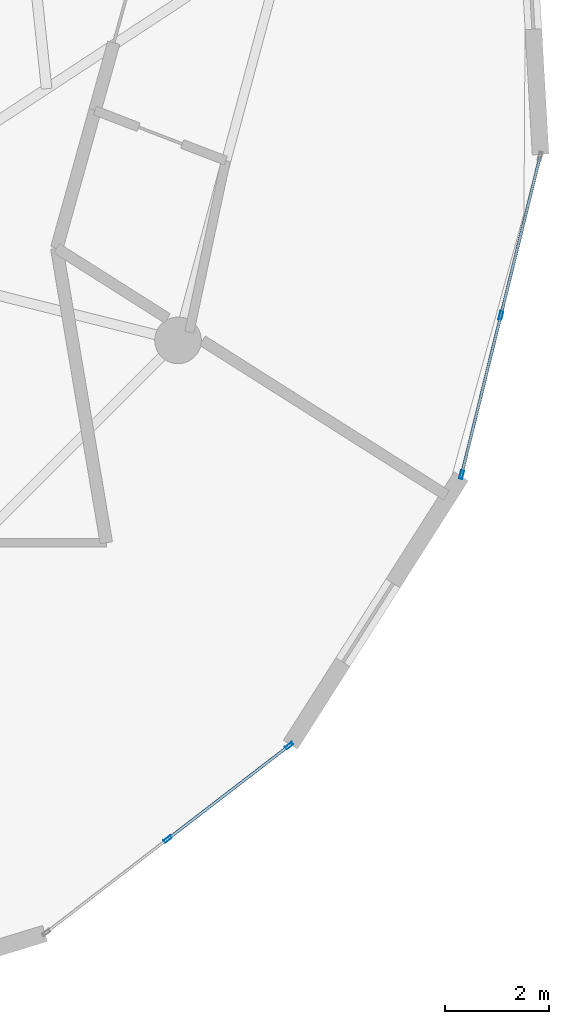
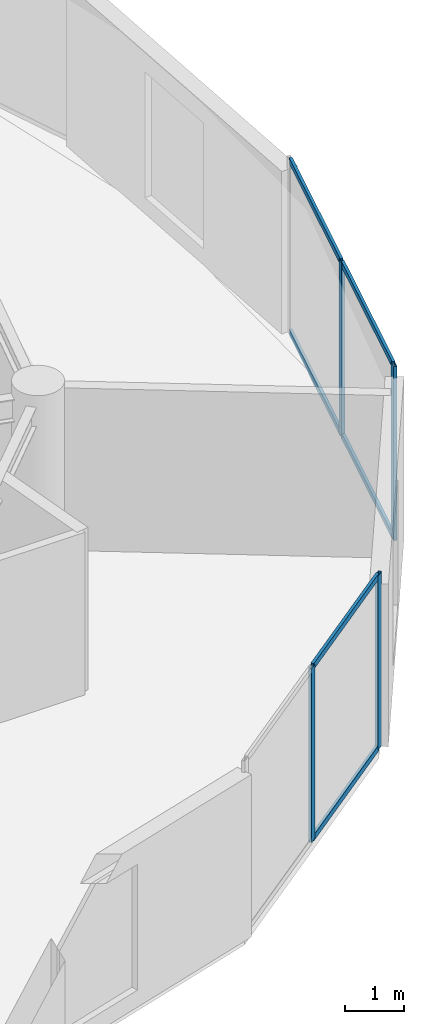
# One storey, part 8 of 18: 10 members, 2 elements without a shape of their own.
"""IFC4 building model written with IfcOpenShell, lengths in metres."""

from ifc_helpers import new_model, si_unit, direction, frame, origin, origin_2d, place, context, subcontext, project, spatial, hollow_rectangle, extrude, source, transform, mapped, material, layer, layer_set, material_profile, profile_set, type_object, element, aggregate, save


model = new_model("IFC4")

# Units and contexts
model_context = context("Model", 3, precision=1e-05, world=origin(), true_north=direction((0.0, 1.0)))
body_context = subcontext(model_context, "Body", "Model", "MODEL_VIEW")
ifc_project = project(units=[si_unit("LENGTHUNIT", "METRE"), si_unit("AREAUNIT", "SQUARE_METRE"), si_unit("VOLUMEUNIT", "CUBIC_METRE"), si_unit("PLANEANGLEUNIT", "RADIAN"), si_unit("MASSUNIT", "GRAM", prefix="KILO")], contexts=[model_context])

# Site, building, storey
site_placement = place(None, origin())
site = spatial("IfcSite", under=ifc_project, at=site_placement, CompositionType="ELEMENT")
building_placement = place(site_placement, origin())
building = spatial("IfcBuilding", under=site, at=building_placement, Name="Solvirekh Grand Hotel", CompositionType="ELEMENT")
storey_placement = place(building_placement, frame((0.0, 0.0, 198.39990234375)))
storey = spatial("IfcBuildingStorey", under=building, at=storey_placement, Name="L51", CompositionType="ELEMENT", Elevation=198.39990234375)

# Curtain wall, members
ifc_material = material(Name="Anodized Bronze Aluminium 6063-T6", Category="aluminium")
ifc_layer = layer(ifc_material, 0.159912109375)
ifc_layer_set = layer_set([ifc_layer], Name="Anodized Bronze Aluminium 6063-T6")
curtain_wall_type = type_object("IfcCurtainWallType", Name="CW_Sys4_HighZoneFlushBronzeCW", PredefinedType="NOTDEFINED", material=ifc_layer_set)
curtain_wall_1_placement = place(storey_placement, origin())
curtain_wall_1 = element("IfcCurtainWall", 1, at=curtain_wall_1_placement, inside=storey, type_object=curtain_wall_type, Name="L51 unitised bronze-glass curtain wall CW-L51-C01", PredefinedType="NOTDEFINED")
ifc_material_profile_1 = material_profile(ifc_material, hollow_rectangle(XDim=0.06005859375, YDim=0.159912109375, WallThickness=0.0048828125, at=origin_2d()), Name="ALU RHS 160X60X5")
ifc_profile_set_1 = profile_set([ifc_material_profile_1], Name="Anodized Bronze Aluminium 6063-T6")
member_type_1 = type_object("IfcMemberType", Name="CWMullion_Sys4", PredefinedType="MULLION", material=ifc_profile_set_1)
shared_shape_1 = source(origin(), body_context, "Body", "SweptSolid", [
    extrude(hollow_rectangle(XDim=0.06005859375, YDim=0.159912109375, WallThickness=0.0048828125, at=origin_2d()), origin(), (0.0, 0.0, 1.0), 3.60009765625),
])
member_1_placement = place(storey_placement, frame((13.48388671875, -17.512451171875, 0.0), z_axis=(0.0, 0.0, 1.0), x_axis=(-0.609556857521, 0.792742352501, 0.0)))
member_1 = element("IfcMember", 2, at=member_1_placement, type_object=member_type_1, Name="U04 mullion 2", PredefinedType="MULLION", context=body_context, shape_type="MappedRepresentation", body=[
    mapped(shared_shape_1, transform((0.0, 0.0, 0.0), x_axis=(1.0, 0.0, 0.0), y_axis=(0.0, 1.0, 0.0), z_axis=(0.0, 0.0, 1.0), scale=1.0)),
])
member_2_placement = place(storey_placement, frame((15.8251953125, -15.71240234375, 0.0), z_axis=(0.0, 0.0, 1.0), x_axis=(-0.609556857521, 0.792742352501, 0.0)))
member_2 = element("IfcMember", 3, at=member_2_placement, type_object=member_type_1, Name="U04 mullion 3", PredefinedType="MULLION", context=body_context, shape_type="MappedRepresentation", body=[
    mapped(shared_shape_1, transform((0.0, 0.0, 0.0), x_axis=(1.0, 0.0, 0.0), y_axis=(0.0, 1.0, 0.0), z_axis=(0.0, 0.0, 1.0), scale=1.0)),
])

curtain_wall_2_placement = place(storey_placement, origin())
curtain_wall_2 = element("IfcCurtainWall", 4, at=curtain_wall_2_placement, inside=storey, type_object=curtain_wall_type, Name="L51 unitised bronze-glass curtain wall CW-L51-C03", PredefinedType="NOTDEFINED")
member_3_placement = place(storey_placement, frame((19.148193359375, -10.490966796875, 0.0), z_axis=(0.0, 0.0, 1.0), x_axis=(-0.970901876855, 0.239477651398, 0.0)))
member_3 = element("IfcMember", 5, at=member_3_placement, type_object=member_type_1, Name="U04 mullion 1", PredefinedType="MULLION", context=body_context, shape_type="MappedRepresentation", body=[
    mapped(shared_shape_1, transform((0.0, 0.0, 0.0), x_axis=(1.0, 0.0, 0.0), y_axis=(0.0, 1.0, 0.0), z_axis=(0.0, 0.0, 1.0), scale=1.0)),
])
member_4_placement = place(storey_placement, frame((19.906005859375, -7.41845703125, 0.0), z_axis=(0.0, 0.0, 1.0), x_axis=(-0.970901876855, 0.239477651398, 0.0)))
member_4 = element("IfcMember", 6, at=member_4_placement, type_object=member_type_1, Name="U04 mullion 2", PredefinedType="MULLION", context=body_context, shape_type="MappedRepresentation", body=[
    mapped(shared_shape_1, transform((0.0, 0.0, 0.0), x_axis=(1.0, 0.0, 0.0), y_axis=(0.0, 1.0, 0.0), z_axis=(0.0, 0.0, 1.0), scale=1.0)),
])

# Member
ifc_material_profile_2 = material_profile(ifc_material, hollow_rectangle(XDim=0.054931640625, YDim=0.1201171875, WallThickness=0.00390625, at=origin_2d()), Name="ALU RHS 120X55X4")
ifc_profile_set_2 = profile_set([ifc_material_profile_2], Name="Anodized Bronze Aluminium 6063-T6")
member_type_2 = type_object("IfcMemberType", Name="CWTransom_Sys4", PredefinedType="USERDEFINED", material=ifc_profile_set_2)
shared_shape_2 = source(origin(), body_context, "Body", "SweptSolid", [
    extrude(hollow_rectangle(XDim=0.054931640625, YDim=0.1201171875, WallThickness=0.00390625, at=origin_2d()), origin(), (0.0, 0.0, 1.0), 2.893310546875),
])
member_5_placement = place(storey_placement, frame((13.5078125, -17.494140625, 0.027587890625), z_axis=(0.792743171429, 0.609555792486, 0.0), x_axis=(-0.609555792486, 0.792743171429, 0.0)))
member_5 = element("IfcMember", 7, at=member_5_placement, type_object=member_type_2, Name="U04 transom 2.1", ObjectType="TRANSOM", PredefinedType="USERDEFINED", context=body_context, shape_type="MappedRepresentation", body=[
    mapped(shared_shape_2, transform((0.0, 0.0, 0.0), x_axis=(1.0, 0.0, 0.0), y_axis=(0.0, 1.0, 0.0), z_axis=(0.0, 0.0, 1.0), scale=1.0)),
])

member_6_placement = place(storey_placement, frame((13.5078125, -17.494140625, 3.572509765625), z_axis=(0.792743171429, 0.609555792486, 0.0), x_axis=(-0.609555792486, 0.792743171429, 0.0)))
member_6 = element("IfcMember", 8, at=member_6_placement, type_object=member_type_2, Name="U04 transom 2.2", ObjectType="TRANSOM", PredefinedType="USERDEFINED", context=body_context, shape_type="MappedRepresentation", body=[
    mapped(shared_shape_2, transform((0.0, 0.0, 0.0), x_axis=(1.0, 0.0, 0.0), y_axis=(0.0, 1.0, 0.0), z_axis=(0.0, 0.0, 1.0), scale=1.0)),
])

aggregate(curtain_wall_1, [member_1, member_2, member_5, member_6])

shared_shape_3 = source(origin(), body_context, "Body", "SweptSolid", [
    extrude(hollow_rectangle(XDim=0.054931640625, YDim=0.1201171875, WallThickness=0.00390625, at=origin_2d()), origin(), (0.0, 0.0, 1.0), 3.1044921875),
])
member_7_placement = place(storey_placement, frame((19.1552734375, -10.461669921875, 0.027587890625), z_axis=(0.239536902256, 0.970887260426, 0.0), x_axis=(-0.970887260426, 0.239536902256, 0.0)))
member_7 = element("IfcMember", 9, at=member_7_placement, type_object=member_type_2, Name="U04 transom 1.1", ObjectType="TRANSOM", PredefinedType="USERDEFINED", context=body_context, shape_type="MappedRepresentation", body=[
    mapped(shared_shape_3, transform((0.0, 0.0, 0.0), x_axis=(1.0, 0.0, 0.0), y_axis=(0.0, 1.0, 0.0), z_axis=(0.0, 0.0, 1.0), scale=1.0)),
])

member_8_placement = place(storey_placement, frame((19.1552734375, -10.461669921875, 3.572509765625), z_axis=(0.239536902256, 0.970887260426, 0.0), x_axis=(-0.970887260426, 0.239536902256, 0.0)))
member_8 = element("IfcMember", 10, at=member_8_placement, type_object=member_type_2, Name="U04 transom 1.2", ObjectType="TRANSOM", PredefinedType="USERDEFINED", context=body_context, shape_type="MappedRepresentation", body=[
    mapped(shared_shape_3, transform((0.0, 0.0, 0.0), x_axis=(1.0, 0.0, 0.0), y_axis=(0.0, 1.0, 0.0), z_axis=(0.0, 0.0, 1.0), scale=1.0)),
])

member_9_placement = place(storey_placement, frame((19.9130859375, -7.389404296875, 0.027587890625), z_axis=(0.239536902256, 0.970887260426, 0.0), x_axis=(-0.970887260426, 0.239536902256, 0.0)))
member_9 = element("IfcMember", 11, at=member_9_placement, type_object=member_type_2, Name="U04 transom 2.1", ObjectType="TRANSOM", PredefinedType="USERDEFINED", context=body_context, shape_type="MappedRepresentation", body=[
    mapped(shared_shape_3, transform((0.0, 0.0, 0.0), x_axis=(1.0, 0.0, 0.0), y_axis=(0.0, 1.0, 0.0), z_axis=(0.0, 0.0, 1.0), scale=1.0)),
])

member_10_placement = place(storey_placement, frame((19.9130859375, -7.389404296875, 3.572509765625), z_axis=(0.239536902256, 0.970887260426, 0.0), x_axis=(-0.970887260426, 0.239536902256, 0.0)))
member_10 = element("IfcMember", 12, at=member_10_placement, type_object=member_type_2, Name="U04 transom 2.2", ObjectType="TRANSOM", PredefinedType="USERDEFINED", context=body_context, shape_type="MappedRepresentation", body=[
    mapped(shared_shape_3, transform((0.0, 0.0, 0.0), x_axis=(1.0, 0.0, 0.0), y_axis=(0.0, 1.0, 0.0), z_axis=(0.0, 0.0, 1.0), scale=1.0)),
])

aggregate(curtain_wall_2, [member_3, member_4, member_7, member_8, member_9, member_10])

save(model, "model.ifc")
